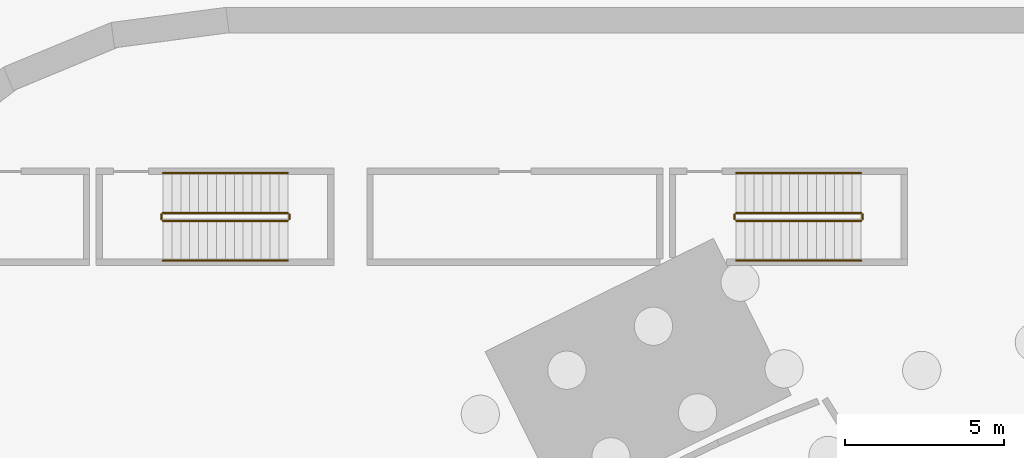
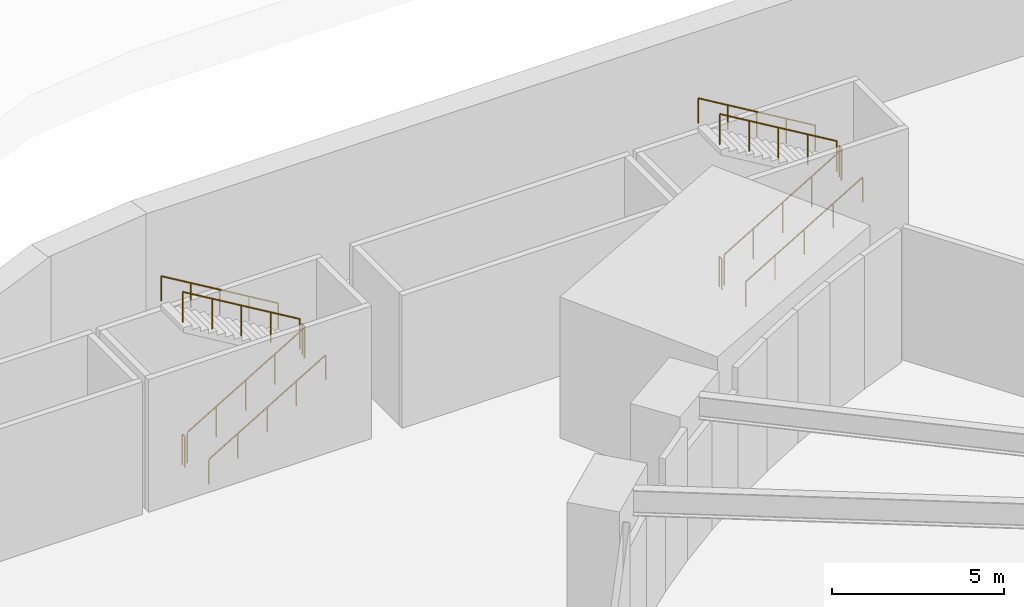
# One storey, part 13 of 14: 12 railings.
"""IFC4 building model written with IfcOpenShell, lengths in metres."""

from ifc_helpers import new_model, si_unit, direction, frame, origin, origin_2d, place, context, subcontext, project, spatial, circle, extrude, source, transform, mapped, material, type_object, element, save


model = new_model("IFC4")

# Units and contexts
model_context = context("Model", 3, precision=1e-05, world=origin(), true_north=direction((0.0, 1.0)))
body_context = subcontext(model_context, "Body", "Model", "MODEL_VIEW")
ifc_project = project(units=[si_unit("LENGTHUNIT", "METRE"), si_unit("AREAUNIT", "SQUARE_METRE"), si_unit("VOLUMEUNIT", "CUBIC_METRE"), si_unit("PLANEANGLEUNIT", "RADIAN"), si_unit("MASSUNIT", "GRAM", prefix="KILO")], contexts=[model_context])

# Site, building, storey
site_placement = place(None, origin())
site = spatial("IfcSite", under=ifc_project, at=site_placement, CompositionType="ELEMENT")
building_placement = place(site_placement, origin())
building = spatial("IfcBuilding", under=site, at=building_placement, Name="Embergate Tower", CompositionType="ELEMENT")
storey_placement = place(building_placement, frame((0.0, 0.0, -10.0)))
storey = spatial("IfcBuildingStorey", under=building, at=storey_placement, Name="B2", CompositionType="ELEMENT", Elevation=-10.0)

# Railings
ifc_material = material(Name="Steel", Category="steel")
railing_type_1 = type_object("IfcRailingType", Name="Exit stair guard 1100", PredefinedType="GUARDRAIL", material=ifc_material)
shared_shape_1 = source(origin(), body_context, "Body", "SweptSolid", [
    extrude(circle(Radius=0.02392578125, at=origin_2d()), frame((0.0, 0.0, 1.076171875), z_axis=(0.0, 1.0, 0.0), x_axis=(-1.0, 0.0, 0.0)), (0.0, 0.0, 1.0), 0.14990234375),
    extrude(circle(Radius=0.02099609375, at=origin_2d()), origin(), (0.0, 0.0, 1.0), 1.052001953125),
    extrude(circle(Radius=0.02099609375, at=origin_2d()), frame((0.0, 0.14990234375, 0.0)), (0.0, 0.0, 1.0), 1.052001953125),
])
for number, where, name in (
    (1, (-16.030029296875, 33.35009765625, 2.5), "B2 XS1 stair guard 2"),
    (2, (-20.050048828125, 33.35009765625, 0.0), "B2 XS1 stair guard 4"),
    (3, (-34.030029296875, 33.35009765625, 2.5), "B2 XS2 stair guard 2"),
    (4, (-38.050048828125, 33.35009765625, 0.0), "B2 XS2 stair guard 4"),
):
    element("IfcRailing", number, at=place(storey_placement, frame(where)), inside=storey, type_object=railing_type_1, Name=name, PredefinedType="GUARDRAIL", context=body_context, shape_type="MappedRepresentation", body=[
        mapped(shared_shape_1, transform((0.0, 0.0, 0.0))),
    ])
shared_shape_2 = source(origin(), body_context, "Body", "SweptSolid", [
    extrude(circle(Radius=0.02392578125, at=origin_2d()), frame((0.0, 0.0, 1.076171875), z_axis=(0.859296244711, 0.0, 0.511478214419), x_axis=(0.0, 1.0, 0.0)), (0.0, 0.0, 1.0), 4.561767578125),
    extrude(circle(Radius=0.02099609375, at=origin_2d()), origin(), (0.0, 0.0, 1.0), 1.052001953125),
    extrude(circle(Radius=0.02099609375, at=origin_2d()), frame((0.97998046875, 0.0, 0.583251953125)), (0.0, 0.0, 1.0), 1.052001953125),
    extrude(circle(Radius=0.02099609375, at=origin_2d()), frame((1.9599609375, 0.0, 1.16650390625)), (0.0, 0.0, 1.0), 1.052001953125),
    extrude(circle(Radius=0.02099609375, at=origin_2d()), frame((2.93994140625, 0.0, 1.75)), (0.0, 0.0, 1.0), 1.052001953125),
    extrude(circle(Radius=0.02099609375, at=origin_2d()), frame((3.919921875, 0.0, 2.333251953125)), (0.0, 0.0, 1.0), 1.052001953125),
])
for number, where, name in (
    (5, (-20.0, 33.300048828125, 0.166748046875), "B2 XS1 stair guard 1"),
    (6, (-38.0, 33.300048828125, 0.166748046875), "B2 XS2 stair guard 1"),
):
    element("IfcRailing", number, at=place(storey_placement, frame(where)), inside=storey, type_object=railing_type_1, Name=name, PredefinedType="GUARDRAIL", context=body_context, shape_type="MappedRepresentation", body=[
        mapped(shared_shape_2, transform((0.0, 0.0, 0.0))),
    ])
shared_shape_3 = source(origin(), body_context, "Body", "SweptSolid", [
    extrude(circle(Radius=0.02392578125, at=origin_2d()), frame((0.0, 0.0, 1.076171875), z_axis=(-0.859296244711, 0.0, 0.511478214419), x_axis=(0.0, -1.0, 0.0)), (0.0, 0.0, 1.0), 4.561767578125),
    extrude(circle(Radius=0.02099609375, at=origin_2d()), origin(), (0.0, 0.0, 1.0), 1.052001953125),
    extrude(circle(Radius=0.02099609375, at=origin_2d()), frame((-0.97998046875, 0.0, 0.583251953125)), (0.0, 0.0, 1.0), 1.052001953125),
    extrude(circle(Radius=0.02099609375, at=origin_2d()), frame((-1.9599609375, 0.0, 1.16650390625)), (0.0, 0.0, 1.0), 1.052001953125),
    extrude(circle(Radius=0.02099609375, at=origin_2d()), frame((-2.93994140625, 0.0, 1.75)), (0.0, 0.0, 1.0), 1.052001953125),
    extrude(circle(Radius=0.02099609375, at=origin_2d()), frame((-3.919921875, 0.0, 2.333251953125)), (0.0, 0.0, 1.0), 1.052001953125),
])
for number, where, name in (
    (7, (-16.080078125, 33.550048828125, 2.666748046875), "B2 XS1 stair guard 3"),
    (8, (-34.080078125, 33.550048828125, 2.666748046875), "B2 XS2 stair guard 3"),
):
    element("IfcRailing", number, at=place(storey_placement, frame(where)), inside=storey, type_object=railing_type_1, Name=name, PredefinedType="GUARDRAIL", context=body_context, shape_type="MappedRepresentation", body=[
        mapped(shared_shape_3, transform((0.0, 0.0, 0.0))),
    ])
railing_type_2 = type_object("IfcRailingType", Name="Exit stair handrail 900", PredefinedType="HANDRAIL", material=ifc_material)
shared_shape_4 = source(origin(), body_context, "Body", "SweptSolid", [
    extrude(circle(Radius=0.02392578125, at=origin_2d()), frame((0.0, 0.0, 0.8759765625), z_axis=(0.859296244711, 0.0, 0.511478214419), x_axis=(0.0, 1.0, 0.0)), (0.0, 0.0, 1.0), 4.561767578125),
    extrude(circle(Radius=0.02099609375, at=origin_2d()), origin(), (0.0, 0.0, 1.0), 0.851806640625),
    extrude(circle(Radius=0.02099609375, at=origin_2d()), frame((0.97998046875, 0.0, 0.583251953125)), (0.0, 0.0, 1.0), 0.851806640625),
    extrude(circle(Radius=0.02099609375, at=origin_2d()), frame((1.9599609375, 0.0, 1.16650390625)), (0.0, 0.0, 1.0), 0.851806640625),
    extrude(circle(Radius=0.02099609375, at=origin_2d()), frame((2.93994140625, 0.0, 1.75)), (0.0, 0.0, 1.0), 0.851806640625),
    extrude(circle(Radius=0.02099609375, at=origin_2d()), frame((3.919921875, 0.0, 2.333251953125)), (0.0, 0.0, 1.0), 0.851806640625),
])
for number, where, name in (
    (9, (-20.0, 32.050048828125, 0.166748046875), "B2 XS1 stair handrail 1"),
    (10, (-38.0, 32.050048828125, 0.166748046875), "B2 XS2 stair handrail 1"),
):
    element("IfcRailing", number, at=place(storey_placement, frame(where)), inside=storey, type_object=railing_type_2, Name=name, PredefinedType="HANDRAIL", context=body_context, shape_type="MappedRepresentation", body=[
        mapped(shared_shape_4, transform((0.0, 0.0, 0.0))),
    ])
shared_shape_5 = source(origin(), body_context, "Body", "SweptSolid", [
    extrude(circle(Radius=0.02392578125, at=origin_2d()), frame((0.0, 0.0, 0.8759765625), z_axis=(-0.859296244711, 0.0, 0.511478214419), x_axis=(0.0, -1.0, 0.0)), (0.0, 0.0, 1.0), 4.561767578125),
    extrude(circle(Radius=0.02099609375, at=origin_2d()), origin(), (0.0, 0.0, 1.0), 0.851806640625),
    extrude(circle(Radius=0.02099609375, at=origin_2d()), frame((-0.97998046875, 0.0, 0.583251953125)), (0.0, 0.0, 1.0), 0.851806640625),
    extrude(circle(Radius=0.02099609375, at=origin_2d()), frame((-1.9599609375, 0.0, 1.16650390625)), (0.0, 0.0, 1.0), 0.851806640625),
    extrude(circle(Radius=0.02099609375, at=origin_2d()), frame((-2.93994140625, 0.0, 1.75)), (0.0, 0.0, 1.0), 0.851806640625),
    extrude(circle(Radius=0.02099609375, at=origin_2d()), frame((-3.919921875, 0.0, 2.333251953125)), (0.0, 0.0, 1.0), 0.851806640625),
])
for number, where, name in (
    (11, (-16.080078125, 34.800048828125, 2.666748046875), "B2 XS1 stair handrail 2"),
    (12, (-34.080078125, 34.800048828125, 2.666748046875), "B2 XS2 stair handrail 2"),
):
    element("IfcRailing", number, at=place(storey_placement, frame(where)), inside=storey, type_object=railing_type_2, Name=name, PredefinedType="HANDRAIL", context=body_context, shape_type="MappedRepresentation", body=[
        mapped(shared_shape_5, transform((0.0, 0.0, 0.0))),
    ])

save(model, "model.ifc")
